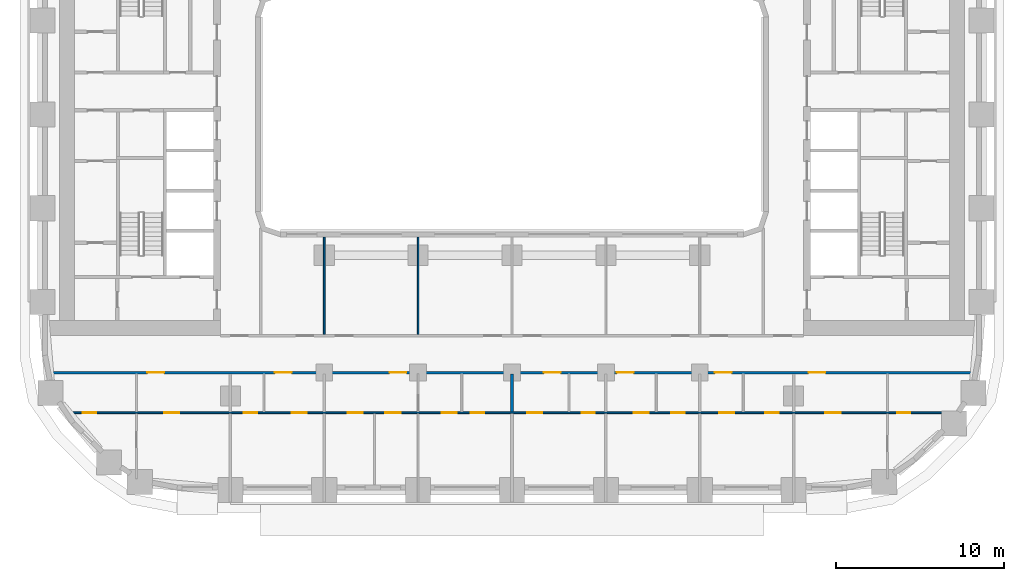
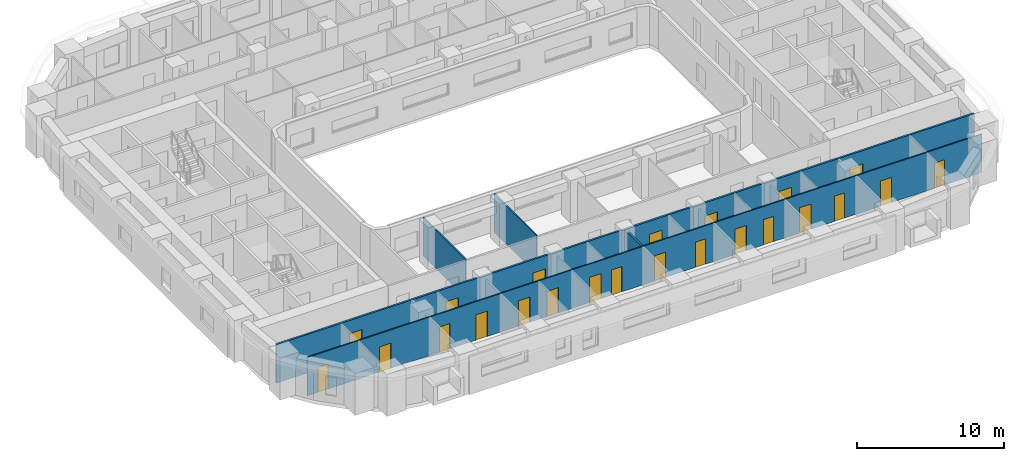
# One storey, part 3 of 22: 23 doors, 5 walls, 23 openings.
"""IFC4 building model written with IfcOpenShell, lengths in metres."""

import ifcopenshell
import ifcopenshell.guid

model = None  # the IFC model being written
_history = None  # IfcOwnerHistory: only IFC2X3 demands one
_inside = {}  # id of a spatial element -> (the spatial element, [elements in it])
_under = {}  # id of a project, library or spatial element -> (it, [spatial elements below it])
_declared = {}  # id of a project -> (the project, [libraries it declares])
_typed = {}  # id of a type object -> (the type object, [elements of that type])
_made_of = {}  # id of a material, layer set ... -> (it, [elements and type objects made of it])


def new_model(schema):
    """Start an empty IFC model of exactly this schema.

    Asked for "IFC4X3", IfcOpenShell would pick the latest addendum, in which some entities
    have other attributes; the version numbers below select the first issue.
    IFC2X3 requires an IfcOwnerHistory on every rooted entity: one is made here for all.
    """
    global model, _history
    if schema == "IFC4X3":
        model = ifcopenshell.file(schema_version=(4, 3, 0, 0))
    else:
        model = ifcopenshell.file(schema=schema)
    _inside.clear()
    _under.clear()
    _declared.clear()
    _typed.clear()
    _made_of.clear()
    _history = None
    if model.schema == "IFC2X3":
        org = make("IfcOrganization", Name="unknown")
        user = make(
            "IfcPersonAndOrganization",
            ThePerson=make("IfcPerson", FamilyName="unknown"),
            TheOrganization=org,
        )
        app = make(
            "IfcApplication",
            ApplicationDeveloper=org,
            Version="unknown",
            ApplicationFullName="unknown",
            ApplicationIdentifier="unknown",
        )
        _history = make(
            "IfcOwnerHistory",
            OwningUser=user,
            OwningApplication=app,
            ChangeAction="ADDED",
            CreationDate=0,
        )
    return model


def make(cls, **values):
    """One entity of the class cls with the attributes given. An attribute that is None is left unset."""
    return model.create_entity(
        cls, **{name: value for name, value in values.items() if value is not None}
    )


def rooted(cls, **values):
    """An entity with a GlobalId (a new one), such as an element, a storey or a relation."""
    return make(cls, GlobalId=ifcopenshell.guid.new(), OwnerHistory=_history, **values)


def si_unit(unit_type, name, prefix=None):
    """IfcSIUnit, for example si_unit("LENGTHUNIT", "METRE", prefix="MILLI")."""
    return make("IfcSIUnit", UnitType=unit_type, Prefix=prefix, Name=name)


def assignment(units):
    """IfcUnitAssignment: the units of a project."""
    return None if units is None else make("IfcUnitAssignment", Units=units)


def point(xyz):
    """IfcCartesianPoint."""
    return None if xyz is None else make("IfcCartesianPoint", Coordinates=xyz)


def direction(xyz):
    """IfcDirection."""
    return None if xyz is None else make("IfcDirection", DirectionRatios=xyz)


def frame(location, z_axis=None, x_axis=None):
    """IfcAxis2Placement3D, a coordinate frame: its origin and axes. An axis left out is left unset."""
    return make(
        "IfcAxis2Placement3D",
        Location=point(location),
        Axis=direction(z_axis),
        RefDirection=direction(x_axis),
    )


def frame_2d(location, x_axis=None):
    """IfcAxis2Placement2D, a coordinate frame in the plane: its origin and x axis."""
    return make(
        "IfcAxis2Placement2D", Location=point(location), RefDirection=direction(x_axis)
    )


def origin():
    """The frame at (0, 0, 0) with its axes left unset."""
    return frame((0.0, 0.0, 0.0))


def place(relative_to, where):
    """IfcLocalPlacement: puts the frame where relative to a parent placement (None: the world)."""
    return make(
        "IfcLocalPlacement", PlacementRelTo=relative_to, RelativePlacement=where
    )


def context(
    kind, dimensions, precision=None, world=None, true_north=None, identifier=None
):
    """IfcGeometricRepresentationContext, for example the 3D "Model" context."""
    return make(
        "IfcGeometricRepresentationContext",
        ContextIdentifier=identifier,
        ContextType=kind,
        CoordinateSpaceDimension=dimensions,
        Precision=precision,
        WorldCoordinateSystem=world,
        TrueNorth=true_north,
    )


def subcontext(parent, identifier, kind, view, scale=None):
    """IfcGeometricRepresentationSubContext, for example "Body" below "Model"."""
    return make(
        "IfcGeometricRepresentationSubContext",
        ContextIdentifier=identifier,
        ContextType=kind,
        ParentContext=parent,
        TargetScale=scale,
        TargetView=view,
    )


def project(units=None, contexts=None):
    """IfcProject with its units and contexts."""
    return rooted(
        "IfcProject",
        Name="project",
        RepresentationContexts=contexts,
        UnitsInContext=assignment(units),
    )


def spatial(cls, under=None, at=None, **own):
    """A site, building, storey or space (cls), placed at a placement, below another one or the project."""
    s = rooted(cls, ObjectPlacement=at, **own)
    if under is not None:
        _under.setdefault(under.id(), (under, []))[1].append(s)
    return s


def profile(cls, at=None, kind="AREA", **sizes):
    """A parametric profile (cls). Its sizes go by their IFC names, for example OverallWidth=200.0."""
    return make(cls, ProfileType=kind, Position=at, **sizes)


def rectangle(**sizes):
    """IfcRectangleProfileDef."""
    return profile("IfcRectangleProfileDef", **sizes)


def extrude(swept, where, along, depth):
    """IfcExtrudedAreaSolid: the profile swept, set in the frame where, extruded along a direction by depth."""
    return make(
        "IfcExtrudedAreaSolid",
        SweptArea=swept,
        Position=where,
        ExtrudedDirection=direction(along),
        Depth=depth,
    )


def shape(context_of_items, identifier, shape_type, items):
    """IfcShapeRepresentation: the items that make up one representation, for example the "Body"."""
    return make(
        "IfcShapeRepresentation",
        ContextOfItems=context_of_items,
        RepresentationIdentifier=identifier,
        RepresentationType=shape_type,
        Items=items,
    )


def material(Name=None, Category=None):
    """IfcMaterial."""
    return make("IfcMaterial", Name=Name, Category=Category)


def layer(
    of_material, thickness, ventilated=None, Name=None, Category=None, Priority=None
):
    """IfcMaterialLayer: one layer of a wall or slab, of a material (None: an air gap)."""
    return make(
        "IfcMaterialLayer",
        Material=of_material,
        LayerThickness=thickness,
        IsVentilated=ventilated,
        Name=Name,
        Category=Category,
        Priority=Priority,
    )


def layer_set(layers, Name=None):
    """IfcMaterialLayerSet."""
    return make("IfcMaterialLayerSet", MaterialLayers=layers, LayerSetName=Name)


def made_of(thing, what):
    """Note that an element or type object is made of a material, layer set ...; save() writes the relation."""
    if what is not None:
        _made_of.setdefault(what.id(), (what, []))[1].append(thing)
    return thing


def type_object(cls, material=None, **own):
    """A type object (cls), such as IfcWallType, which elements share."""
    return made_of(rooted(cls, **own), material)


def element(
    cls,
    number,
    at=None,
    inside=None,
    cuts=None,
    type_object=None,
    material=None,
    context=None,
    identifier="Body",
    shape_type=None,
    held_by="IfcProductDefinitionShape",
    body=None,
    shapes=None,
    **own,
):
    """One element of the class cls, such as IfcWall. Its Tag is "e" and its number.

    at: its placement. inside: the storey or other place that contains it. cuts: it is an
    opening in that element (IfcRelVoidsElement). A single representation is given by context,
    identifier, shape_type and body (its items); several are given by shapes. held_by: the class
    of the entity that holds the representations. save() writes the other relations.
    """
    e = rooted(cls, Tag="e%d" % number, ObjectPlacement=at, **own)
    if body is not None:
        shapes = [shape(context, identifier, shape_type, body)]
    if shapes is not None:
        e.Representation = make(held_by, Representations=shapes)
    if inside is not None:
        _inside.setdefault(inside.id(), (inside, []))[1].append(e)
    if cuts is not None:
        rooted(
            "IfcRelVoidsElement", RelatingBuildingElement=cuts, RelatedOpeningElement=e
        )
    if type_object is not None:
        _typed.setdefault(type_object.id(), (type_object, []))[1].append(e)
    return made_of(e, material)


def fill(opening, filler):
    """IfcRelFillsElement: the door or window that sits in an opening."""
    return rooted(
        "IfcRelFillsElement",
        RelatingOpeningElement=opening,
        RelatedBuildingElement=filler,
    )


def aggregate(whole, parts):
    """IfcRelAggregates: a whole, such as a stair, and the parts it consists of."""
    return rooted("IfcRelAggregates", RelatingObject=whole, RelatedObjects=parts)


def save(model, path):
    """Write the relations noted so far, then the file.

    IfcRelAggregates (storeys below a building ...), IfcRelContainedInSpatialStructure (elements
    in a storey), IfcRelDefinesByType, IfcRelAssociatesMaterial and IfcRelDeclares: one each for
    every whole, place, type object, material and project.
    """
    for whole, parts in _under.values():
        aggregate(whole, parts)
    for where, things in _inside.values():
        rooted(
            "IfcRelContainedInSpatialStructure",
            RelatedElements=things,
            RelatingStructure=where,
        )
    for kind, things in _typed.values():
        rooted("IfcRelDefinesByType", RelatedObjects=things, RelatingType=kind)
    for what, things in _made_of.values():
        rooted("IfcRelAssociatesMaterial", RelatedObjects=things, RelatingMaterial=what)
    for by, libraries in _declared.values():
        rooted("IfcRelDeclares", RelatingContext=by, RelatedDefinitions=libraries)
    model.write(path)


model = new_model("IFC4")

# Units and contexts
model_context = context("Model", 3, precision=1e-05, world=origin(), true_north=direction((0.0, 1.0)))
body_context = subcontext(model_context, "Body", "Model", "MODEL_VIEW")
ifc_project = project(units=[si_unit("LENGTHUNIT", "METRE"), si_unit("AREAUNIT", "SQUARE_METRE"), si_unit("VOLUMEUNIT", "CUBIC_METRE"), si_unit("PLANEANGLEUNIT", "RADIAN"), si_unit("MASSUNIT", "GRAM", prefix="KILO")], contexts=[model_context])

# Site, building, storey
site_placement = place(None, origin())
site = spatial("IfcSite", under=ifc_project, at=site_placement, CompositionType="ELEMENT")
building_placement = place(site_placement, origin())
building = spatial("IfcBuilding", under=site, at=building_placement, Name="Kiln Ring Residences", CompositionType="ELEMENT")
storey_placement = place(building_placement, frame((0.0, 0.0, 44.5)))
storey = spatial("IfcBuildingStorey", under=building, at=storey_placement, Name="L10", CompositionType="ELEMENT", Elevation=44.5)

# Wall, openings, doors
ifc_material_1 = material(Name="Gypsum board on steel studs", Category="steel")
ifc_layer_1 = layer(ifc_material_1, 0.10009765625)
ifc_layer_set_1 = layer_set([ifc_layer_1], Name="PARTITION-100")
wall_type_1 = type_object("IfcWallType", Name="PARTITION-100", PredefinedType="PARTITIONING", material=ifc_layer_set_1)
wall_1_placement = place(storey_placement, frame((-26.39404296875, -17.800048828125, 0.0), z_axis=(0.0, 0.0, 1.0), x_axis=(1.0, 0.0, 0.0)))
wall_1 = element("IfcWall", 1, at=wall_1_placement, inside=storey, type_object=wall_type_1, Name="Partition 000", PredefinedType="PARTITIONING", context=body_context, shape_type="SweptSolid", body=[
    extrude(rectangle(XDim=53.126220703125, YDim=0.10009765625, at=frame_2d((26.56298828125, 0.0))), origin(), (0.0, 0.0, 1.0), 3.199951171875),
])
opening_1_placement = place(wall_1_placement, frame((0.7939453125, 0.0, 0.0)))
opening_1 = element("IfcOpeningElement", 2, at=opening_1_placement, cuts=wall_1, Name="Opening L10-D052", PredefinedType="OPENING", context=body_context, shape_type="SweptSolid", body=[
    extrude(rectangle(XDim=0.800048828125, YDim=2.10009765625, at=frame_2d((0.39990234375, 1.050048828125))), frame((0.0, 0.06005859375, 0.0), z_axis=(0.0, -1.0, 0.0), x_axis=(1.0, 0.0, 0.0)), (0.0, 0.0, 1.0), 0.1201171875),
])
opening_2_placement = place(wall_1_placement, frame((5.64404296875, 0.0, 0.0)))
opening_2 = element("IfcOpeningElement", 3, at=opening_2_placement, cuts=wall_1, Name="Opening L10-D053", PredefinedType="OPENING", context=body_context, shape_type="SweptSolid", body=[
    extrude(rectangle(XDim=0.89990234375, YDim=2.10009765625, at=frame_2d((0.449951171875, 1.050048828125))), frame((0.0, 0.06005859375, 0.0), z_axis=(0.0, -1.0, 0.0), x_axis=(1.0, 0.0, 0.0)), (0.0, 0.0, 1.0), 0.1201171875),
])
opening_3_placement = place(wall_1_placement, frame((10.39404296875, 0.0, 0.0)))
opening_3 = element("IfcOpeningElement", 4, at=opening_3_placement, cuts=wall_1, Name="Opening L10-D056", PredefinedType="OPENING", context=body_context, shape_type="SweptSolid", body=[
    extrude(rectangle(XDim=0.800048828125, YDim=2.10009765625, at=frame_2d((0.39990234375, 1.050048828125))), frame((0.0, 0.06005859375, 0.0), z_axis=(0.0, -1.0, 0.0), x_axis=(1.0, 0.0, 0.0)), (0.0, 0.0, 1.0), 0.1201171875),
])
opening_4_placement = place(wall_1_placement, frame((13.243896484375, 0.0, 0.0)))
opening_4 = element("IfcOpeningElement", 5, at=opening_4_placement, cuts=wall_1, Name="Opening L10-D057", PredefinedType="OPENING", context=body_context, shape_type="SweptSolid", body=[
    extrude(rectangle(XDim=0.89990234375, YDim=2.10009765625, at=frame_2d((0.449951171875, 1.050048828125))), frame((0.0, 0.06005859375, 0.0), z_axis=(0.0, -1.0, 0.0), x_axis=(1.0, 0.0, 0.0)), (0.0, 0.0, 1.0), 0.1201171875),
])
opening_5_placement = place(wall_1_placement, frame((23.944091796875, 0.0, 0.0)))
opening_5 = element("IfcOpeningElement", 6, at=opening_5_placement, cuts=wall_1, Name="Opening L10-D060", PredefinedType="OPENING", context=body_context, shape_type="SweptSolid", body=[
    extrude(rectangle(XDim=0.800048828125, YDim=2.10009765625, at=frame_2d((0.39990234375, 1.050048828125))), frame((0.0, 0.06005859375, 0.0), z_axis=(0.0, -1.0, 0.0), x_axis=(1.0, 0.0, 0.0)), (0.0, 0.0, 1.0), 0.1201171875),
])
opening_6_placement = place(wall_1_placement, frame((22.194091796875, 0.0, 0.0)))
opening_6 = element("IfcOpeningElement", 7, at=opening_6_placement, cuts=wall_1, Name="Opening L10-D061", PredefinedType="OPENING", context=body_context, shape_type="SweptSolid", body=[
    extrude(rectangle(XDim=0.89990234375, YDim=2.10009765625, at=frame_2d((0.449951171875, 1.050048828125))), frame((0.0, 0.06005859375, 0.0), z_axis=(0.0, -1.0, 0.0), x_axis=(1.0, 0.0, 0.0)), (0.0, 0.0, 1.0), 0.1201171875),
])
opening_7_placement = place(wall_1_placement, frame((16.593994140625, 0.0, 0.0)))
opening_7 = element("IfcOpeningElement", 8, at=opening_7_placement, cuts=wall_1, Name="Opening L10-D062", PredefinedType="OPENING", context=body_context, shape_type="SweptSolid", body=[
    extrude(rectangle(XDim=0.89990234375, YDim=2.10009765625, at=frame_2d((0.449951171875, 1.050048828125))), frame((0.0, 0.06005859375, 0.0), z_axis=(0.0, -1.0, 0.0), x_axis=(1.0, 0.0, 0.0)), (0.0, 0.0, 1.0), 0.1201171875),
])
opening_8_placement = place(wall_1_placement, frame((18.843994140625, 0.0, 0.0)))
opening_8 = element("IfcOpeningElement", 9, at=opening_8_placement, cuts=wall_1, Name="Opening L10-D063", PredefinedType="OPENING", context=body_context, shape_type="SweptSolid", body=[
    extrude(rectangle(XDim=0.89990234375, YDim=2.10009765625, at=frame_2d((0.449951171875, 1.050048828125))), frame((0.0, 0.06005859375, 0.0), z_axis=(0.0, -1.0, 0.0), x_axis=(1.0, 0.0, 0.0)), (0.0, 0.0, 1.0), 0.1201171875),
])
opening_9_placement = place(wall_1_placement, frame((30.5439453125, 0.0, 0.0)))
opening_9 = element("IfcOpeningElement", 10, at=opening_9_placement, cuts=wall_1, Name="Opening L10-D065", PredefinedType="OPENING", context=body_context, shape_type="SweptSolid", body=[
    extrude(rectangle(XDim=0.800048828125, YDim=2.10009765625, at=frame_2d((0.39990234375, 1.050048828125))), frame((0.0, 0.06005859375, 0.0), z_axis=(0.0, -1.0, 0.0), x_axis=(1.0, 0.0, 0.0)), (0.0, 0.0, 1.0), 0.1201171875),
])
opening_10_placement = place(wall_1_placement, frame((27.2939453125, 0.0, 0.0)))
opening_10 = element("IfcOpeningElement", 11, at=opening_10_placement, cuts=wall_1, Name="Opening L10-D066", PredefinedType="OPENING", context=body_context, shape_type="SweptSolid", body=[
    extrude(rectangle(XDim=0.89990234375, YDim=2.10009765625, at=frame_2d((0.449951171875, 1.050048828125))), frame((0.0, 0.06005859375, 0.0), z_axis=(0.0, -1.0, 0.0), x_axis=(1.0, 0.0, 0.0)), (0.0, 0.0, 1.0), 0.1201171875),
])
opening_11_placement = place(wall_1_placement, frame((35.89404296875, 0.0, 0.0)))
opening_11 = element("IfcOpeningElement", 12, at=opening_11_placement, cuts=wall_1, Name="Opening L10-D068", PredefinedType="OPENING", context=body_context, shape_type="SweptSolid", body=[
    extrude(rectangle(XDim=0.800048828125, YDim=2.10009765625, at=frame_2d((0.39990234375, 1.050048828125))), frame((0.0, 0.06005859375, 0.0), z_axis=(0.0, -1.0, 0.0), x_axis=(1.0, 0.0, 0.0)), (0.0, 0.0, 1.0), 0.1201171875),
])
opening_12_placement = place(wall_1_placement, frame((33.64404296875, 0.0, 0.0)))
opening_12 = element("IfcOpeningElement", 13, at=opening_12_placement, cuts=wall_1, Name="Opening L10-D069", PredefinedType="OPENING", context=body_context, shape_type="SweptSolid", body=[
    extrude(rectangle(XDim=0.89990234375, YDim=2.10009765625, at=frame_2d((0.449951171875, 1.050048828125))), frame((0.0, 0.06005859375, 0.0), z_axis=(0.0, -1.0, 0.0), x_axis=(1.0, 0.0, 0.0)), (0.0, 0.0, 1.0), 0.1201171875),
])
opening_13_placement = place(wall_1_placement, frame((41.493896484375, 0.0, 0.0)))
opening_13 = element("IfcOpeningElement", 14, at=opening_13_placement, cuts=wall_1, Name="Opening L10-D071", PredefinedType="OPENING", context=body_context, shape_type="SweptSolid", body=[
    extrude(rectangle(XDim=0.800048828125, YDim=2.10009765625, at=frame_2d((0.39990234375, 1.050048828125))), frame((0.0, 0.06005859375, 0.0), z_axis=(0.0, -1.0, 0.0), x_axis=(1.0, 0.0, 0.0)), (0.0, 0.0, 1.0), 0.1201171875),
])
opening_14_placement = place(wall_1_placement, frame((38.743896484375, 0.0, 0.0)))
opening_14 = element("IfcOpeningElement", 15, at=opening_14_placement, cuts=wall_1, Name="Opening L10-D072", PredefinedType="OPENING", context=body_context, shape_type="SweptSolid", body=[
    extrude(rectangle(XDim=0.89990234375, YDim=2.10009765625, at=frame_2d((0.449951171875, 1.050048828125))), frame((0.0, 0.06005859375, 0.0), z_axis=(0.0, -1.0, 0.0), x_axis=(1.0, 0.0, 0.0)), (0.0, 0.0, 1.0), 0.1201171875),
])
opening_15_placement = place(wall_1_placement, frame((49.362060546875, 0.0, 0.0)))
opening_15 = element("IfcOpeningElement", 16, at=opening_15_placement, cuts=wall_1, Name="Opening L10-D074", PredefinedType="OPENING", context=body_context, shape_type="SweptSolid", body=[
    extrude(rectangle(XDim=0.800048828125, YDim=2.10009765625, at=frame_2d((0.39990234375, 1.050048828125))), frame((0.0, 0.06005859375, 0.0), z_axis=(0.0, -1.0, 0.0), x_axis=(1.0, 0.0, 0.0)), (0.0, 0.0, 1.0), 0.1201171875),
])
opening_16_placement = place(wall_1_placement, frame((45.093994140625, 0.0, 0.0)))
opening_16 = element("IfcOpeningElement", 17, at=opening_16_placement, cuts=wall_1, Name="Opening L10-D075", PredefinedType="OPENING", context=body_context, shape_type="SweptSolid", body=[
    extrude(rectangle(XDim=0.89990234375, YDim=2.10009765625, at=frame_2d((0.449951171875, 1.050048828125))), frame((0.0, 0.06005859375, 0.0), z_axis=(0.0, -1.0, 0.0), x_axis=(1.0, 0.0, 0.0)), (0.0, 0.0, 1.0), 0.1201171875),
])
ifc_material_2 = material(Name="Timber door leaf", Category="wood")
door_type_1 = type_object("IfcDoorType", Name="FLAT-DOOR-800-PL", OperationType="SINGLE_SWING_LEFT", PredefinedType="DOOR", material=ifc_material_2)
door_1_placement = place(opening_1_placement, origin())
door_1 = element("IfcDoor", 18, at=door_1_placement, inside=storey, type_object=door_type_1, Name="Door L10-D052", OperationType="SINGLE_SWING_RIGHT", OverallHeight=2.10009765625, OverallWidth=0.800048828125, PredefinedType="DOOR", context=body_context, shape_type="SweptSolid", body=[
    extrude(rectangle(XDim=0.800048828125, YDim=2.10009765625, at=frame_2d((0.39990234375, 1.050048828125))), frame((0.0, 0.02490234375, 0.0), z_axis=(0.0, -1.0, 0.0), x_axis=(1.0, 0.0, 0.0)), (0.0, 0.0, 1.0), 0.050048828125),
])
fill(opening_1, door_1)
door_2_placement = place(opening_3_placement, origin())
door_2 = element("IfcDoor", 19, at=door_2_placement, inside=storey, type_object=door_type_1, Name="Door L10-D056", OperationType="SINGLE_SWING_LEFT", OverallHeight=2.10009765625, OverallWidth=0.800048828125, PredefinedType="DOOR", context=body_context, shape_type="SweptSolid", body=[
    extrude(rectangle(XDim=0.800048828125, YDim=2.10009765625, at=frame_2d((0.39990234375, 1.050048828125))), frame((0.0, 0.02490234375, 0.0), z_axis=(0.0, -1.0, 0.0), x_axis=(1.0, 0.0, 0.0)), (0.0, 0.0, 1.0), 0.050048828125),
])
fill(opening_3, door_2)
door_3_placement = place(opening_5_placement, origin())
door_3 = element("IfcDoor", 20, at=door_3_placement, inside=storey, type_object=door_type_1, Name="Door L10-D060", OperationType="SINGLE_SWING_RIGHT", OverallHeight=2.10009765625, OverallWidth=0.800048828125, PredefinedType="DOOR", context=body_context, shape_type="SweptSolid", body=[
    extrude(rectangle(XDim=0.800048828125, YDim=2.10009765625, at=frame_2d((0.39990234375, 1.050048828125))), frame((0.0, 0.02490234375, 0.0), z_axis=(0.0, -1.0, 0.0), x_axis=(1.0, 0.0, 0.0)), (0.0, 0.0, 1.0), 0.050048828125),
])
fill(opening_5, door_3)
door_4_placement = place(opening_9_placement, origin())
door_4 = element("IfcDoor", 21, at=door_4_placement, inside=storey, type_object=door_type_1, Name="Door L10-D065", OperationType="SINGLE_SWING_LEFT", OverallHeight=2.10009765625, OverallWidth=0.800048828125, PredefinedType="DOOR", context=body_context, shape_type="SweptSolid", body=[
    extrude(rectangle(XDim=0.800048828125, YDim=2.10009765625, at=frame_2d((0.39990234375, 1.050048828125))), frame((0.0, 0.02490234375, 0.0), z_axis=(0.0, -1.0, 0.0), x_axis=(1.0, 0.0, 0.0)), (0.0, 0.0, 1.0), 0.050048828125),
])
fill(opening_9, door_4)
door_5_placement = place(opening_11_placement, origin())
door_5 = element("IfcDoor", 22, at=door_5_placement, inside=storey, type_object=door_type_1, Name="Door L10-D068", OperationType="SINGLE_SWING_RIGHT", OverallHeight=2.10009765625, OverallWidth=0.800048828125, PredefinedType="DOOR", context=body_context, shape_type="SweptSolid", body=[
    extrude(rectangle(XDim=0.800048828125, YDim=2.10009765625, at=frame_2d((0.39990234375, 1.050048828125))), frame((0.0, 0.02490234375, 0.0), z_axis=(0.0, -1.0, 0.0), x_axis=(1.0, 0.0, 0.0)), (0.0, 0.0, 1.0), 0.050048828125),
])
fill(opening_11, door_5)
door_6_placement = place(opening_13_placement, origin())
door_6 = element("IfcDoor", 23, at=door_6_placement, inside=storey, type_object=door_type_1, Name="Door L10-D071", OperationType="SINGLE_SWING_LEFT", OverallHeight=2.10009765625, OverallWidth=0.800048828125, PredefinedType="DOOR", context=body_context, shape_type="SweptSolid", body=[
    extrude(rectangle(XDim=0.800048828125, YDim=2.10009765625, at=frame_2d((0.39990234375, 1.050048828125))), frame((0.0, 0.02490234375, 0.0), z_axis=(0.0, -1.0, 0.0), x_axis=(1.0, 0.0, 0.0)), (0.0, 0.0, 1.0), 0.050048828125),
])
fill(opening_13, door_6)
door_7_placement = place(opening_15_placement, origin())
door_7 = element("IfcDoor", 24, at=door_7_placement, inside=storey, type_object=door_type_1, Name="Door L10-D074", OperationType="SINGLE_SWING_RIGHT", OverallHeight=2.10009765625, OverallWidth=0.800048828125, PredefinedType="DOOR", context=body_context, shape_type="SweptSolid", body=[
    extrude(rectangle(XDim=0.800048828125, YDim=2.10009765625, at=frame_2d((0.39990234375, 1.050048828125))), frame((0.0, 0.02490234375, 0.0), z_axis=(0.0, -1.0, 0.0), x_axis=(1.0, 0.0, 0.0)), (0.0, 0.0, 1.0), 0.050048828125),
])
fill(opening_15, door_7)
ifc_material_3 = material(Name="Timber door leaf", Category="wood")
door_type_2 = type_object("IfcDoorType", Name="FLAT-DOOR-900-PL", OperationType="SINGLE_SWING_LEFT", PredefinedType="DOOR", material=ifc_material_3)
door_8_placement = place(opening_2_placement, origin())
door_8 = element("IfcDoor", 25, at=door_8_placement, inside=storey, type_object=door_type_2, Name="Door L10-D053", OperationType="SINGLE_SWING_LEFT", OverallHeight=2.10009765625, OverallWidth=0.89990234375, PredefinedType="DOOR", context=body_context, shape_type="SweptSolid", body=[
    extrude(rectangle(XDim=0.89990234375, YDim=2.10009765625, at=frame_2d((0.449951171875, 1.050048828125))), frame((0.0, 0.02490234375, 0.0), z_axis=(0.0, -1.0, 0.0), x_axis=(1.0, 0.0, 0.0)), (0.0, 0.0, 1.0), 0.050048828125),
])
fill(opening_2, door_8)
door_9_placement = place(opening_4_placement, origin())
door_9 = element("IfcDoor", 26, at=door_9_placement, inside=storey, type_object=door_type_2, Name="Door L10-D057", OperationType="SINGLE_SWING_RIGHT", OverallHeight=2.10009765625, OverallWidth=0.89990234375, PredefinedType="DOOR", context=body_context, shape_type="SweptSolid", body=[
    extrude(rectangle(XDim=0.89990234375, YDim=2.10009765625, at=frame_2d((0.449951171875, 1.050048828125))), frame((0.0, 0.02490234375, 0.0), z_axis=(0.0, -1.0, 0.0), x_axis=(1.0, 0.0, 0.0)), (0.0, 0.0, 1.0), 0.050048828125),
])
fill(opening_4, door_9)
door_10_placement = place(opening_6_placement, origin())
door_10 = element("IfcDoor", 27, at=door_10_placement, inside=storey, type_object=door_type_2, Name="Door L10-D061", OperationType="SINGLE_SWING_RIGHT", OverallHeight=2.10009765625, OverallWidth=0.89990234375, PredefinedType="DOOR", context=body_context, shape_type="SweptSolid", body=[
    extrude(rectangle(XDim=0.89990234375, YDim=2.10009765625, at=frame_2d((0.449951171875, 1.050048828125))), frame((0.0, 0.02490234375, 0.0), z_axis=(0.0, -1.0, 0.0), x_axis=(1.0, 0.0, 0.0)), (0.0, 0.0, 1.0), 0.050048828125),
])
fill(opening_6, door_10)
door_11_placement = place(opening_7_placement, origin())
door_11 = element("IfcDoor", 28, at=door_11_placement, inside=storey, type_object=door_type_2, Name="Door L10-D062", OperationType="SINGLE_SWING_RIGHT", OverallHeight=2.10009765625, OverallWidth=0.89990234375, PredefinedType="DOOR", context=body_context, shape_type="SweptSolid", body=[
    extrude(rectangle(XDim=0.89990234375, YDim=2.10009765625, at=frame_2d((0.449951171875, 1.050048828125))), frame((0.0, 0.02490234375, 0.0), z_axis=(0.0, -1.0, 0.0), x_axis=(1.0, 0.0, 0.0)), (0.0, 0.0, 1.0), 0.050048828125),
])
fill(opening_7, door_11)
door_12_placement = place(opening_8_placement, origin())
door_12 = element("IfcDoor", 29, at=door_12_placement, inside=storey, type_object=door_type_2, Name="Door L10-D063", OperationType="SINGLE_SWING_LEFT", OverallHeight=2.10009765625, OverallWidth=0.89990234375, PredefinedType="DOOR", context=body_context, shape_type="SweptSolid", body=[
    extrude(rectangle(XDim=0.89990234375, YDim=2.10009765625, at=frame_2d((0.449951171875, 1.050048828125))), frame((0.0, 0.02490234375, 0.0), z_axis=(0.0, -1.0, 0.0), x_axis=(1.0, 0.0, 0.0)), (0.0, 0.0, 1.0), 0.050048828125),
])
fill(opening_8, door_12)
door_13_placement = place(opening_10_placement, origin())
door_13 = element("IfcDoor", 30, at=door_13_placement, inside=storey, type_object=door_type_2, Name="Door L10-D066", OperationType="SINGLE_SWING_LEFT", OverallHeight=2.10009765625, OverallWidth=0.89990234375, PredefinedType="DOOR", context=body_context, shape_type="SweptSolid", body=[
    extrude(rectangle(XDim=0.89990234375, YDim=2.10009765625, at=frame_2d((0.449951171875, 1.050048828125))), frame((0.0, 0.02490234375, 0.0), z_axis=(0.0, -1.0, 0.0), x_axis=(1.0, 0.0, 0.0)), (0.0, 0.0, 1.0), 0.050048828125),
])
fill(opening_10, door_13)
door_14_placement = place(opening_12_placement, origin())
door_14 = element("IfcDoor", 31, at=door_14_placement, inside=storey, type_object=door_type_2, Name="Door L10-D069", OperationType="SINGLE_SWING_RIGHT", OverallHeight=2.10009765625, OverallWidth=0.89990234375, PredefinedType="DOOR", context=body_context, shape_type="SweptSolid", body=[
    extrude(rectangle(XDim=0.89990234375, YDim=2.10009765625, at=frame_2d((0.449951171875, 1.050048828125))), frame((0.0, 0.02490234375, 0.0), z_axis=(0.0, -1.0, 0.0), x_axis=(1.0, 0.0, 0.0)), (0.0, 0.0, 1.0), 0.050048828125),
])
fill(opening_12, door_14)
door_15_placement = place(opening_14_placement, origin())
door_15 = element("IfcDoor", 32, at=door_15_placement, inside=storey, type_object=door_type_2, Name="Door L10-D072", OperationType="SINGLE_SWING_RIGHT", OverallHeight=2.10009765625, OverallWidth=0.89990234375, PredefinedType="DOOR", context=body_context, shape_type="SweptSolid", body=[
    extrude(rectangle(XDim=0.89990234375, YDim=2.10009765625, at=frame_2d((0.449951171875, 1.050048828125))), frame((0.0, 0.02490234375, 0.0), z_axis=(0.0, -1.0, 0.0), x_axis=(1.0, 0.0, 0.0)), (0.0, 0.0, 1.0), 0.050048828125),
])
fill(opening_14, door_15)
door_16_placement = place(opening_16_placement, origin())
door_16 = element("IfcDoor", 33, at=door_16_placement, inside=storey, type_object=door_type_2, Name="Door L10-D075", OperationType="SINGLE_SWING_LEFT", OverallHeight=2.10009765625, OverallWidth=0.89990234375, PredefinedType="DOOR", context=body_context, shape_type="SweptSolid", body=[
    extrude(rectangle(XDim=0.89990234375, YDim=2.10009765625, at=frame_2d((0.449951171875, 1.050048828125))), frame((0.0, 0.02490234375, 0.0), z_axis=(0.0, -1.0, 0.0), x_axis=(1.0, 0.0, 0.0)), (0.0, 0.0, 1.0), 0.050048828125),
])
fill(opening_16, door_16)

# Walls
for number, where, z_axis, x_axis, name in (
    (34, (-11.199951171875, -13.125, 0.0), (0.0, 0.0, 1.0), (0.0, 1.0, 0.0), "Partition 019"),
    (35, (-5.60009765625, -13.125, 0.0), (0.0, 0.0, 1.0), (0.0, 1.0, 0.0), "Partition 030"),
):
    element("IfcWall", number, at=place(storey_placement, frame(where, z_axis=z_axis, x_axis=x_axis)), inside=storey, type_object=wall_type_1, Name=name, PredefinedType="PARTITIONING", context=body_context, shape_type="SweptSolid", body=[
        extrude(rectangle(XDim=5.804931640625, YDim=0.10009765625, at=frame_2d((2.90234375, 0.0))), origin(), (0.0, 0.0, 1.0), 3.199951171875),
    ])

# Wall, openings, doors
ifc_material_4 = material(Name="Brick masonry partition", Category="masonry")
ifc_layer_2 = layer(ifc_material_4, 0.14990234375)
ifc_layer_set_2 = layer_set([ifc_layer_2], Name="PARTITION-150-ei60")
wall_type_2 = type_object("IfcWallType", Name="PARTITION-150-ei60", PredefinedType="PARTITIONING", material=ifc_layer_set_2)
wall_2_placement = place(storey_placement, frame((-27.48388671875, -15.39990234375, 0.0), z_axis=(0.0, 0.0, 1.0), x_axis=(1.0, 0.0, 0.0)))
wall_2 = element("IfcWall", 36, at=wall_2_placement, inside=storey, type_object=wall_type_2, Name="Partition 001", PredefinedType="PARTITIONING", context=body_context, shape_type="SweptSolid", body=[
    extrude(rectangle(XDim=54.9677734375, YDim=0.14990234375, at=frame_2d((27.48388671875, 0.0))), origin(), (0.0, 0.0, 1.0), 3.199951171875),
])
opening_17_placement = place(wall_2_placement, frame((5.73388671875, 0.0, 0.0)))
opening_17 = element("IfcOpeningElement", 37, at=opening_17_placement, cuts=wall_2, Name="Opening L10-D051", PredefinedType="OPENING", context=body_context, shape_type="SweptSolid", body=[
    extrude(rectangle(XDim=1.0, YDim=2.10009765625, at=frame_2d((0.5, 1.050048828125))), frame((0.0, 0.0849609375, 0.0), z_axis=(0.0, -1.0, 0.0), x_axis=(1.0, 0.0, 0.0)), (0.0, 0.0, 1.0), 0.169921875),
])
opening_18_placement = place(wall_2_placement, frame((13.333740234375, 0.0, 0.0)))
opening_18 = element("IfcOpeningElement", 38, at=opening_18_placement, cuts=wall_2, Name="Opening L10-D055", PredefinedType="OPENING", context=body_context, shape_type="SweptSolid", body=[
    extrude(rectangle(XDim=1.0, YDim=2.10009765625, at=frame_2d((0.5, 1.050048828125))), frame((0.0, 0.0849609375, 0.0), z_axis=(0.0, -1.0, 0.0), x_axis=(1.0, 0.0, 0.0)), (0.0, 0.0, 1.0), 0.169921875),
])
opening_19_placement = place(wall_2_placement, frame((20.183837890625, 0.0, 0.0)))
opening_19 = element("IfcOpeningElement", 39, at=opening_19_placement, cuts=wall_2, Name="Opening L10-D058", PredefinedType="OPENING", context=body_context, shape_type="SweptSolid", body=[
    extrude(rectangle(XDim=1.0, YDim=2.10009765625, at=frame_2d((0.5, 1.050048828125))), frame((0.0, 0.0849609375, 0.0), z_axis=(0.0, -1.0, 0.0), x_axis=(1.0, 0.0, 0.0)), (0.0, 0.0, 1.0), 0.169921875),
])
opening_20_placement = place(wall_2_placement, frame((29.3837890625, 0.0, 0.0)))
opening_20 = element("IfcOpeningElement", 40, at=opening_20_placement, cuts=wall_2, Name="Opening L10-D064", PredefinedType="OPENING", context=body_context, shape_type="SweptSolid", body=[
    extrude(rectangle(XDim=1.0, YDim=2.10009765625, at=frame_2d((0.5, 1.050048828125))), frame((0.0, 0.0849609375, 0.0), z_axis=(0.0, -1.0, 0.0), x_axis=(1.0, 0.0, 0.0)), (0.0, 0.0, 1.0), 0.169921875),
])
opening_21_placement = place(wall_2_placement, frame((33.73388671875, 0.0, 0.0)))
opening_21 = element("IfcOpeningElement", 41, at=opening_21_placement, cuts=wall_2, Name="Opening L10-D067", PredefinedType="OPENING", context=body_context, shape_type="SweptSolid", body=[
    extrude(rectangle(XDim=1.0, YDim=2.10009765625, at=frame_2d((0.5, 1.050048828125))), frame((0.0, 0.0849609375, 0.0), z_axis=(0.0, -1.0, 0.0), x_axis=(1.0, 0.0, 0.0)), (0.0, 0.0, 1.0), 0.169921875),
])
opening_22_placement = place(wall_2_placement, frame((39.583740234375, 0.0, 0.0)))
opening_22 = element("IfcOpeningElement", 42, at=opening_22_placement, cuts=wall_2, Name="Opening L10-D070", PredefinedType="OPENING", context=body_context, shape_type="SweptSolid", body=[
    extrude(rectangle(XDim=1.0, YDim=2.10009765625, at=frame_2d((0.5, 1.050048828125))), frame((0.0, 0.0849609375, 0.0), z_axis=(0.0, -1.0, 0.0), x_axis=(1.0, 0.0, 0.0)), (0.0, 0.0, 1.0), 0.169921875),
])
opening_23_placement = place(wall_2_placement, frame((45.183837890625, 0.0, 0.0)))
opening_23 = element("IfcOpeningElement", 43, at=opening_23_placement, cuts=wall_2, Name="Opening L10-D073", PredefinedType="OPENING", context=body_context, shape_type="SweptSolid", body=[
    extrude(rectangle(XDim=1.0, YDim=2.10009765625, at=frame_2d((0.5, 1.050048828125))), frame((0.0, 0.0849609375, 0.0), z_axis=(0.0, -1.0, 0.0), x_axis=(1.0, 0.0, 0.0)), (0.0, 0.0, 1.0), 0.169921875),
])
ifc_material_5 = material(Name="Steel faced fire door leaf", Category="steel")
door_type_3 = type_object("IfcDoorType", Name="FLAT-DOOR-1000-FR", OperationType="SINGLE_SWING_LEFT", PredefinedType="DOOR", material=ifc_material_5)
door_17_placement = place(opening_17_placement, origin())
door_17 = element("IfcDoor", 44, at=door_17_placement, inside=storey, type_object=door_type_3, Name="Door L10-D051", OperationType="SINGLE_SWING_LEFT", OverallHeight=2.10009765625, OverallWidth=1.0, PredefinedType="DOOR", context=body_context, shape_type="SweptSolid", body=[
    extrude(rectangle(XDim=1.0, YDim=2.10009765625, at=frame_2d((0.5, 1.050048828125))), frame((0.0, 0.02490234375, 0.0), z_axis=(0.0, -1.0, 0.0), x_axis=(1.0, 0.0, 0.0)), (0.0, 0.0, 1.0), 0.050048828125),
])
fill(opening_17, door_17)
door_18_placement = place(opening_18_placement, origin())
door_18 = element("IfcDoor", 45, at=door_18_placement, inside=storey, type_object=door_type_3, Name="Door L10-D055", OperationType="SINGLE_SWING_LEFT", OverallHeight=2.10009765625, OverallWidth=1.0, PredefinedType="DOOR", context=body_context, shape_type="SweptSolid", body=[
    extrude(rectangle(XDim=1.0, YDim=2.10009765625, at=frame_2d((0.5, 1.050048828125))), frame((0.0, 0.02490234375, 0.0), z_axis=(0.0, -1.0, 0.0), x_axis=(1.0, 0.0, 0.0)), (0.0, 0.0, 1.0), 0.050048828125),
])
fill(opening_18, door_18)
door_19_placement = place(opening_19_placement, origin())
door_19 = element("IfcDoor", 46, at=door_19_placement, inside=storey, type_object=door_type_3, Name="Door L10-D058", OperationType="SINGLE_SWING_RIGHT", OverallHeight=2.10009765625, OverallWidth=1.0, PredefinedType="DOOR", context=body_context, shape_type="SweptSolid", body=[
    extrude(rectangle(XDim=1.0, YDim=2.10009765625, at=frame_2d((0.5, 1.050048828125))), frame((0.0, 0.02490234375, 0.0), z_axis=(0.0, -1.0, 0.0), x_axis=(1.0, 0.0, 0.0)), (0.0, 0.0, 1.0), 0.050048828125),
])
fill(opening_19, door_19)
door_20_placement = place(opening_20_placement, origin())
door_20 = element("IfcDoor", 47, at=door_20_placement, inside=storey, type_object=door_type_3, Name="Door L10-D064", OperationType="SINGLE_SWING_RIGHT", OverallHeight=2.10009765625, OverallWidth=1.0, PredefinedType="DOOR", context=body_context, shape_type="SweptSolid", body=[
    extrude(rectangle(XDim=1.0, YDim=2.10009765625, at=frame_2d((0.5, 1.050048828125))), frame((0.0, 0.02490234375, 0.0), z_axis=(0.0, -1.0, 0.0), x_axis=(1.0, 0.0, 0.0)), (0.0, 0.0, 1.0), 0.050048828125),
])
fill(opening_20, door_20)
door_21_placement = place(opening_21_placement, origin())
door_21 = element("IfcDoor", 48, at=door_21_placement, inside=storey, type_object=door_type_3, Name="Door L10-D067", OperationType="SINGLE_SWING_LEFT", OverallHeight=2.10009765625, OverallWidth=1.0, PredefinedType="DOOR", context=body_context, shape_type="SweptSolid", body=[
    extrude(rectangle(XDim=1.0, YDim=2.10009765625, at=frame_2d((0.5, 1.050048828125))), frame((0.0, 0.02490234375, 0.0), z_axis=(0.0, -1.0, 0.0), x_axis=(1.0, 0.0, 0.0)), (0.0, 0.0, 1.0), 0.050048828125),
])
fill(opening_21, door_21)
door_22_placement = place(opening_22_placement, origin())
door_22 = element("IfcDoor", 49, at=door_22_placement, inside=storey, type_object=door_type_3, Name="Door L10-D070", OperationType="SINGLE_SWING_RIGHT", OverallHeight=2.10009765625, OverallWidth=1.0, PredefinedType="DOOR", context=body_context, shape_type="SweptSolid", body=[
    extrude(rectangle(XDim=1.0, YDim=2.10009765625, at=frame_2d((0.5, 1.050048828125))), frame((0.0, 0.02490234375, 0.0), z_axis=(0.0, -1.0, 0.0), x_axis=(1.0, 0.0, 0.0)), (0.0, 0.0, 1.0), 0.050048828125),
])
fill(opening_22, door_22)
door_23_placement = place(opening_23_placement, origin())
door_23 = element("IfcDoor", 50, at=door_23_placement, inside=storey, type_object=door_type_3, Name="Door L10-D073", OperationType="SINGLE_SWING_LEFT", OverallHeight=2.10009765625, OverallWidth=1.0, PredefinedType="DOOR", context=body_context, shape_type="SweptSolid", body=[
    extrude(rectangle(XDim=1.0, YDim=2.10009765625, at=frame_2d((0.5, 1.050048828125))), frame((0.0, 0.02490234375, 0.0), z_axis=(0.0, -1.0, 0.0), x_axis=(1.0, 0.0, 0.0)), (0.0, 0.0, 1.0), 0.050048828125),
])
fill(opening_23, door_23)

# Wall
wall_3_placement = place(storey_placement, frame((0.0, -17.75, 0.0), z_axis=(0.0, 0.0, 1.0), x_axis=(0.0, 1.0, 0.0)))
element("IfcWall", 51, at=wall_3_placement, inside=storey, type_object=wall_type_2, Name="Partition 040", PredefinedType="PARTITIONING", context=body_context, shape_type="SweptSolid", body=[
    extrude(rectangle(XDim=2.27490234375, YDim=0.14990234375, at=frame_2d((1.137451171875, 0.0))), origin(), (0.0, 0.0, 1.0), 3.199951171875),
])

save(model, "model.ifc")
